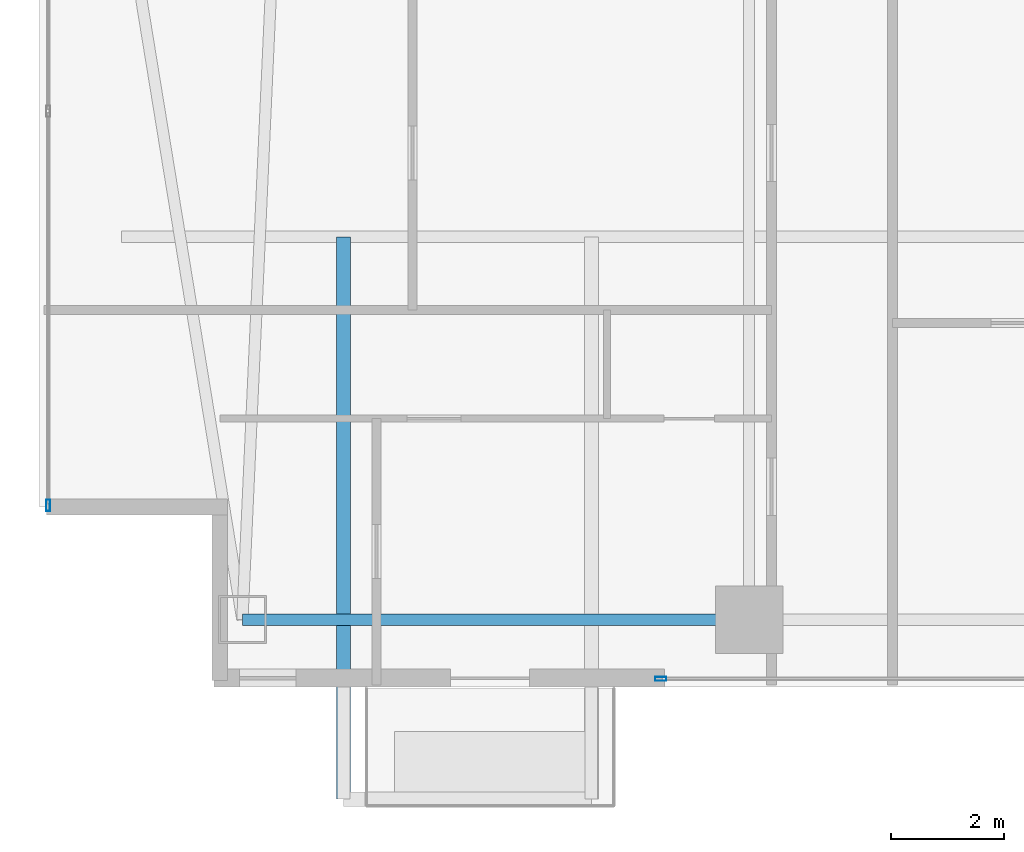
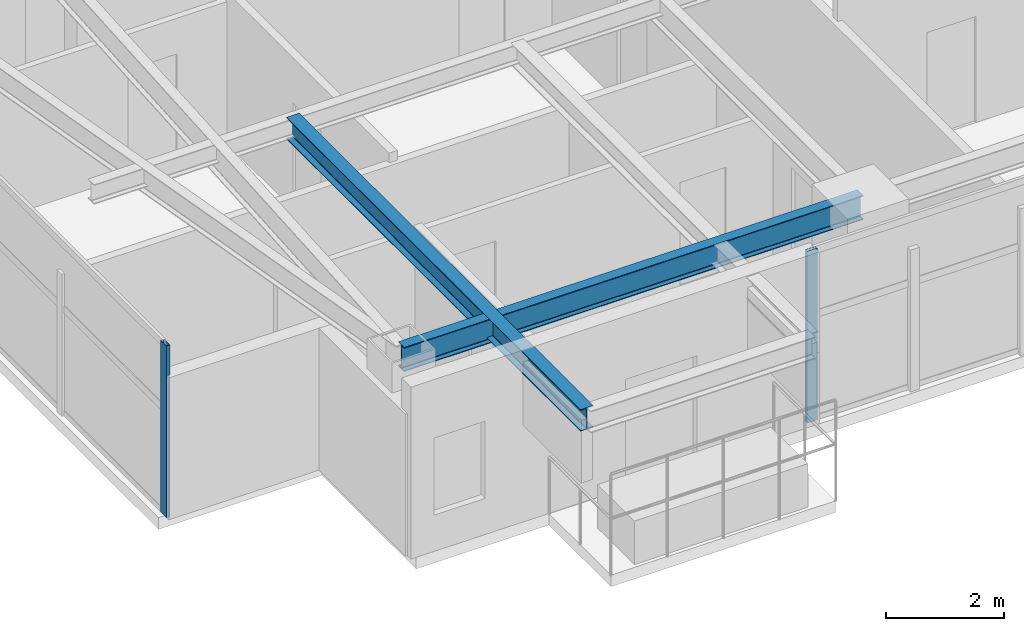
# One storey, part 2 of 28: 2 beams, 2 members, 2 elements without a shape of their own.
"""IFC4 building model written with IfcOpenShell, lengths in metres."""

from ifc_helpers import new_model, si_unit, direction, frame, origin, origin_2d, place, context, subcontext, project, spatial, hollow_rectangle, i_section, extrude, material, layer, layer_set, material_profile, profile_set, type_object, element, aggregate, save


model = new_model("IFC4")

# Units and contexts
model_context = context("Model", 3, precision=1e-05, world=origin(), true_north=direction((0.0, 1.0)))
body_context = subcontext(model_context, "Body", "Model", "MODEL_VIEW")
ifc_project = project(units=[si_unit("LENGTHUNIT", "METRE"), si_unit("AREAUNIT", "SQUARE_METRE"), si_unit("VOLUMEUNIT", "CUBIC_METRE"), si_unit("PLANEANGLEUNIT", "RADIAN"), si_unit("MASSUNIT", "GRAM", prefix="KILO")], contexts=[model_context])

# Site, building, storey
site_placement = place(None, origin())
site = spatial("IfcSite", under=ifc_project, at=site_placement, CompositionType="ELEMENT")
building_placement = place(site_placement, origin())
building = spatial("IfcBuilding", under=site, at=building_placement, Name="Calvorn Quay Hotel", CompositionType="ELEMENT")
storey_placement = place(building_placement, frame((0.0, 0.0, 156.10009765625)))
storey = spatial("IfcBuildingStorey", under=building, at=storey_placement, Name="L38", CompositionType="ELEMENT", Elevation=156.10009765625)

# Beams
ifc_material_1 = material(Name="Steel Q355B", Category="steel")
ifc_material_profile_1 = material_profile(ifc_material_1, i_section(OverallWidth=0.25, OverallDepth=0.449951171875, WebThickness=0.011962890625, FlangeThickness=0.01611328125, FilletRadius=0.01611328125, at=origin_2d()), Name="HN450x250x12x16")
ifc_profile_set_1 = profile_set([ifc_material_profile_1], Name="Steel Q355B")
beam_type_1 = type_object("IfcBeamType", Name="BM-CANT-BALC", PredefinedType="BEAM", material=ifc_profile_set_1)
beam_1_placement = place(storey_placement, frame((5.39990234375, 10.39990234375, 3.31494140625), z_axis=(0.0, -1.0, 0.0), x_axis=(1.0, 0.0, 0.0)))
element("IfcBeam", 1, at=beam_1_placement, inside=storey, type_object=beam_type_1, Name="Cantilever Balcony Beam BCB-L39-2A", PredefinedType="BEAM", context=body_context, shape_type="SweptSolid", body=[
    extrude(i_section(OverallWidth=0.25, OverallDepth=0.449951171875, WebThickness=0.011962890625, FlangeThickness=0.01611328125, FilletRadius=0.01611328125, at=origin_2d()), origin(), (0.0, 0.0, 1.0), 9.989990234375),
])
ifc_material_2 = material(Name="Steel Q355B", Category="steel")
ifc_material_profile_2 = material_profile(ifc_material_2, i_section(OverallWidth=0.199951171875, OverallDepth=0.5, WebThickness=0.010009765625, FlangeThickness=0.01611328125, FilletRadius=0.01611328125, at=origin_2d()), Name="HN500x200x10x16")
ifc_profile_set_2 = profile_set([ifc_material_profile_2], Name="Steel Q355B")
beam_type_2 = type_object("IfcBeamType", Name="BM-SPANDREL-Z1", PredefinedType="SPANDREL", material=ifc_profile_set_2)
beam_2_placement = place(storey_placement, frame((3.60009765625, 3.60009765625, 3.289794921875), z_axis=(1.0, 0.0, 0.0), x_axis=(0.0, 1.0, 0.0)))
element("IfcBeam", 2, at=beam_2_placement, inside=storey, type_object=beam_type_2, Name="Beam BSP-L38-S1", PredefinedType="SPANDREL", context=body_context, shape_type="SweptSolid", body=[
    extrude(i_section(OverallWidth=0.199951171875, OverallDepth=0.5, WebThickness=0.010009765625, FlangeThickness=0.01611328125, FilletRadius=0.01611328125, at=origin_2d()), origin(), (0.0, 0.0, 1.0), 9.0),
])

# Curtain wall, member
ifc_material_3 = material(Name="Pale Anodised Aluminium and Low-E Glass", Category="aluminium")
ifc_layer = layer(ifc_material_3, 0.219970703125)
ifc_layer_set = layer_set([ifc_layer], Name="CW-SYS-Z2")
curtain_wall_type = type_object("IfcCurtainWallType", Name="CW-SYS-Z2", PredefinedType="NOTDEFINED", material=ifc_layer_set)
curtain_wall_1_placement = place(storey_placement, origin())
curtain_wall_1 = element("IfcCurtainWall", 3, at=curtain_wall_1_placement, inside=storey, type_object=curtain_wall_type, Name="Tower West Curtain Wall (L38)", PredefinedType="NOTDEFINED")
ifc_material_4 = material(Name="Pale Anodised Aluminium 6063-T6", Category="aluminium")
ifc_material_profile_3 = material_profile(ifc_material_4, hollow_rectangle(XDim=0.070068359375, YDim=0.199951171875, WallThickness=0.00390625, at=origin_2d()), Name="ALU-M200x70x4")
ifc_profile_set_3 = profile_set([ifc_material_profile_3], Name="Pale Anodised Aluminium 6063-T6")
member_type = type_object("IfcMemberType", Name="CW-SYS-Z2-MUL", PredefinedType="MULLION", material=ifc_profile_set_3)
member_1_placement = place(storey_placement, frame((0.14990234375, 5.6298828125, 0.0), z_axis=(0.0, 0.0, 1.0), x_axis=(-1.0, 0.0, 0.0)))
member_1 = element("IfcMember", 4, at=member_1_placement, type_object=member_type, Name="CW-L38-W mullion 1", PredefinedType="MULLION", context=body_context, shape_type="SweptSolid", body=[
    extrude(hollow_rectangle(XDim=0.070068359375, YDim=0.199951171875, WallThickness=0.00390625, at=origin_2d()), origin(), (0.0, 0.0, 1.0), 3.559814453125),
])
aggregate(curtain_wall_1, [member_1])

curtain_wall_2_placement = place(storey_placement, origin())
curtain_wall_2 = element("IfcCurtainWall", 5, at=curtain_wall_2_placement, inside=storey, type_object=curtain_wall_type, Name="Tower South Waterfront Curtain Wall (L38)", PredefinedType="NOTDEFINED")
member_2_placement = place(storey_placement, frame((11.030029296875, 2.550048828125, 0.0), z_axis=(0.0, 0.0, 1.0), x_axis=(0.0, 1.0, 0.0)))
member_2 = element("IfcMember", 6, at=member_2_placement, type_object=member_type, Name="CW-L38-S mullion 1", PredefinedType="MULLION", context=body_context, shape_type="SweptSolid", body=[
    extrude(hollow_rectangle(XDim=0.070068359375, YDim=0.199951171875, WallThickness=0.00390625, at=origin_2d()), origin(), (0.0, 0.0, 1.0), 3.559814453125),
])
aggregate(curtain_wall_2, [member_2])

save(model, "model.ifc")
